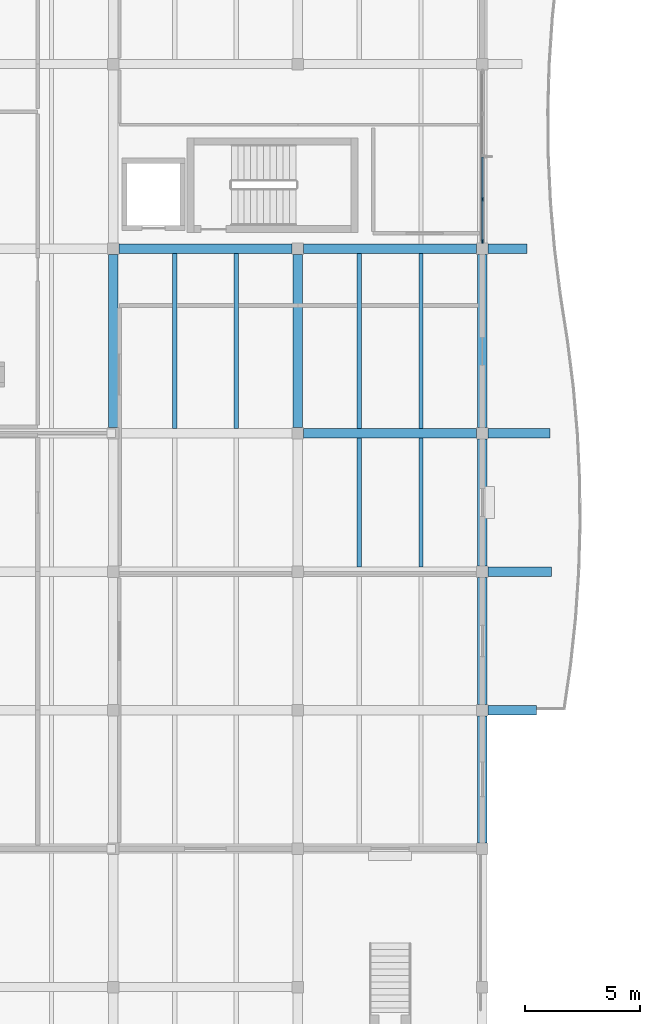
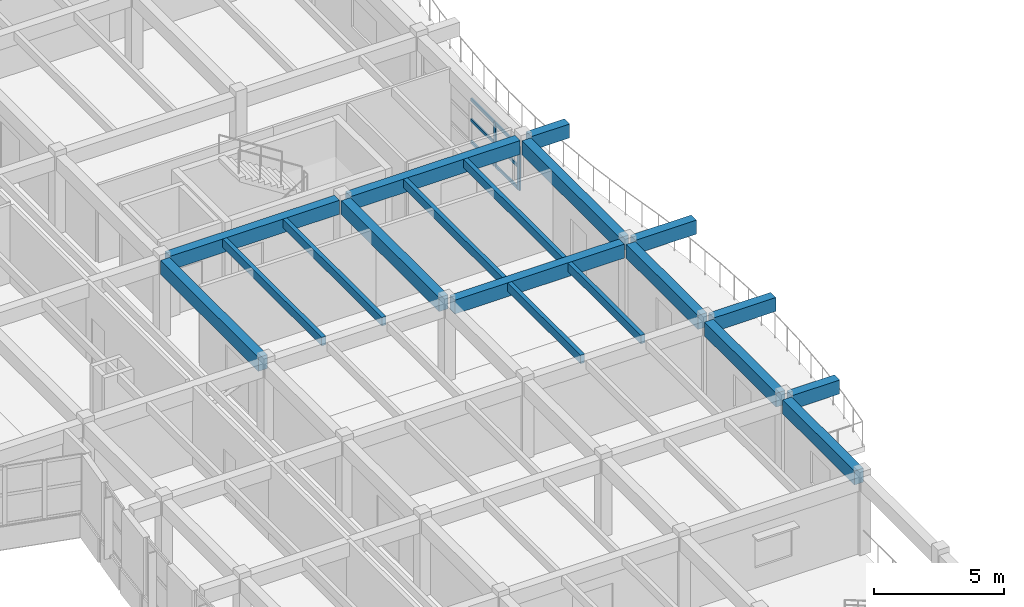
# One storey, part 11 of 89: 19 beams, 8 members, 1 element without a shape of its own.
"""IFC4 building model written with IfcOpenShell, lengths in metres."""

import ifcopenshell
import ifcopenshell.guid

model = None  # the IFC model being written
_history = None  # IfcOwnerHistory: only IFC2X3 demands one
_inside = {}  # id of a spatial element -> (the spatial element, [elements in it])
_under = {}  # id of a project, library or spatial element -> (it, [spatial elements below it])
_declared = {}  # id of a project -> (the project, [libraries it declares])
_typed = {}  # id of a type object -> (the type object, [elements of that type])
_made_of = {}  # id of a material, layer set ... -> (it, [elements and type objects made of it])


def new_model(schema):
    """Start an empty IFC model of exactly this schema.

    Asked for "IFC4X3", IfcOpenShell would pick the latest addendum, in which some entities
    have other attributes; the version numbers below select the first issue.
    IFC2X3 requires an IfcOwnerHistory on every rooted entity: one is made here for all.
    """
    global model, _history
    if schema == "IFC4X3":
        model = ifcopenshell.file(schema_version=(4, 3, 0, 0))
    else:
        model = ifcopenshell.file(schema=schema)
    _inside.clear()
    _under.clear()
    _declared.clear()
    _typed.clear()
    _made_of.clear()
    _history = None
    if model.schema == "IFC2X3":
        org = make("IfcOrganization", Name="unknown")
        user = make(
            "IfcPersonAndOrganization",
            ThePerson=make("IfcPerson", FamilyName="unknown"),
            TheOrganization=org,
        )
        app = make(
            "IfcApplication",
            ApplicationDeveloper=org,
            Version="unknown",
            ApplicationFullName="unknown",
            ApplicationIdentifier="unknown",
        )
        _history = make(
            "IfcOwnerHistory",
            OwningUser=user,
            OwningApplication=app,
            ChangeAction="ADDED",
            CreationDate=0,
        )
    return model


def make(cls, **values):
    """One entity of the class cls with the attributes given. An attribute that is None is left unset."""
    return model.create_entity(
        cls, **{name: value for name, value in values.items() if value is not None}
    )


def rooted(cls, **values):
    """An entity with a GlobalId (a new one), such as an element, a storey or a relation."""
    return make(cls, GlobalId=ifcopenshell.guid.new(), OwnerHistory=_history, **values)


def si_unit(unit_type, name, prefix=None):
    """IfcSIUnit, for example si_unit("LENGTHUNIT", "METRE", prefix="MILLI")."""
    return make("IfcSIUnit", UnitType=unit_type, Prefix=prefix, Name=name)


def assignment(units):
    """IfcUnitAssignment: the units of a project."""
    return None if units is None else make("IfcUnitAssignment", Units=units)


def point(xyz):
    """IfcCartesianPoint."""
    return None if xyz is None else make("IfcCartesianPoint", Coordinates=xyz)


def direction(xyz):
    """IfcDirection."""
    return None if xyz is None else make("IfcDirection", DirectionRatios=xyz)


def frame(location, z_axis=None, x_axis=None):
    """IfcAxis2Placement3D, a coordinate frame: its origin and axes. An axis left out is left unset."""
    return make(
        "IfcAxis2Placement3D",
        Location=point(location),
        Axis=direction(z_axis),
        RefDirection=direction(x_axis),
    )


def frame_2d(location, x_axis=None):
    """IfcAxis2Placement2D, a coordinate frame in the plane: its origin and x axis."""
    return make(
        "IfcAxis2Placement2D", Location=point(location), RefDirection=direction(x_axis)
    )


def origin():
    """The frame at (0, 0, 0) with its axes left unset."""
    return frame((0.0, 0.0, 0.0))


def origin_2d():
    """The frame at (0, 0) in the plane with its x axis left unset."""
    return frame_2d((0.0, 0.0))


def place(relative_to, where):
    """IfcLocalPlacement: puts the frame where relative to a parent placement (None: the world)."""
    return make(
        "IfcLocalPlacement", PlacementRelTo=relative_to, RelativePlacement=where
    )


def context(
    kind, dimensions, precision=None, world=None, true_north=None, identifier=None
):
    """IfcGeometricRepresentationContext, for example the 3D "Model" context."""
    return make(
        "IfcGeometricRepresentationContext",
        ContextIdentifier=identifier,
        ContextType=kind,
        CoordinateSpaceDimension=dimensions,
        Precision=precision,
        WorldCoordinateSystem=world,
        TrueNorth=true_north,
    )


def subcontext(parent, identifier, kind, view, scale=None):
    """IfcGeometricRepresentationSubContext, for example "Body" below "Model"."""
    return make(
        "IfcGeometricRepresentationSubContext",
        ContextIdentifier=identifier,
        ContextType=kind,
        ParentContext=parent,
        TargetScale=scale,
        TargetView=view,
    )


def project(units=None, contexts=None):
    """IfcProject with its units and contexts."""
    return rooted(
        "IfcProject",
        Name="project",
        RepresentationContexts=contexts,
        UnitsInContext=assignment(units),
    )


def spatial(cls, under=None, at=None, **own):
    """A site, building, storey or space (cls), placed at a placement, below another one or the project."""
    s = rooted(cls, ObjectPlacement=at, **own)
    if under is not None:
        _under.setdefault(under.id(), (under, []))[1].append(s)
    return s


def profile(cls, at=None, kind="AREA", **sizes):
    """A parametric profile (cls). Its sizes go by their IFC names, for example OverallWidth=200.0."""
    return make(cls, ProfileType=kind, Position=at, **sizes)


def rectangle(**sizes):
    """IfcRectangleProfileDef."""
    return profile("IfcRectangleProfileDef", **sizes)


def extrude(swept, where, along, depth):
    """IfcExtrudedAreaSolid: the profile swept, set in the frame where, extruded along a direction by depth."""
    return make(
        "IfcExtrudedAreaSolid",
        SweptArea=swept,
        Position=where,
        ExtrudedDirection=direction(along),
        Depth=depth,
    )


def shape(context_of_items, identifier, shape_type, items):
    """IfcShapeRepresentation: the items that make up one representation, for example the "Body"."""
    return make(
        "IfcShapeRepresentation",
        ContextOfItems=context_of_items,
        RepresentationIdentifier=identifier,
        RepresentationType=shape_type,
        Items=items,
    )


def material(Name=None, Category=None):
    """IfcMaterial."""
    return make("IfcMaterial", Name=Name, Category=Category)


def layer(
    of_material, thickness, ventilated=None, Name=None, Category=None, Priority=None
):
    """IfcMaterialLayer: one layer of a wall or slab, of a material (None: an air gap)."""
    return make(
        "IfcMaterialLayer",
        Material=of_material,
        LayerThickness=thickness,
        IsVentilated=ventilated,
        Name=Name,
        Category=Category,
        Priority=Priority,
    )


def layer_set(layers, Name=None):
    """IfcMaterialLayerSet."""
    return make("IfcMaterialLayerSet", MaterialLayers=layers, LayerSetName=Name)


def material_profile(
    of_material, cross_section, Name=None, Category=None, Priority=None
):
    """IfcMaterialProfile: a cross section and its material."""
    return make(
        "IfcMaterialProfile",
        Name=Name,
        Material=of_material,
        Profile=cross_section,
        Priority=Priority,
        Category=Category,
    )


def profile_set(profiles, Name=None, composite=None):
    """IfcMaterialProfileSet."""
    return make(
        "IfcMaterialProfileSet",
        Name=Name,
        MaterialProfiles=profiles,
        CompositeProfile=composite,
    )


def made_of(thing, what):
    """Note that an element or type object is made of a material, layer set ...; save() writes the relation."""
    if what is not None:
        _made_of.setdefault(what.id(), (what, []))[1].append(thing)
    return thing


def type_object(cls, material=None, **own):
    """A type object (cls), such as IfcWallType, which elements share."""
    return made_of(rooted(cls, **own), material)


def element(
    cls,
    number,
    at=None,
    inside=None,
    cuts=None,
    type_object=None,
    material=None,
    context=None,
    identifier="Body",
    shape_type=None,
    held_by="IfcProductDefinitionShape",
    body=None,
    shapes=None,
    **own,
):
    """One element of the class cls, such as IfcWall. Its Tag is "e" and its number.

    at: its placement. inside: the storey or other place that contains it. cuts: it is an
    opening in that element (IfcRelVoidsElement). A single representation is given by context,
    identifier, shape_type and body (its items); several are given by shapes. held_by: the class
    of the entity that holds the representations. save() writes the other relations.
    """
    e = rooted(cls, Tag="e%d" % number, ObjectPlacement=at, **own)
    if body is not None:
        shapes = [shape(context, identifier, shape_type, body)]
    if shapes is not None:
        e.Representation = make(held_by, Representations=shapes)
    if inside is not None:
        _inside.setdefault(inside.id(), (inside, []))[1].append(e)
    if cuts is not None:
        rooted(
            "IfcRelVoidsElement", RelatingBuildingElement=cuts, RelatedOpeningElement=e
        )
    if type_object is not None:
        _typed.setdefault(type_object.id(), (type_object, []))[1].append(e)
    return made_of(e, material)


def aggregate(whole, parts):
    """IfcRelAggregates: a whole, such as a stair, and the parts it consists of."""
    return rooted("IfcRelAggregates", RelatingObject=whole, RelatedObjects=parts)


def save(model, path):
    """Write the relations noted so far, then the file.

    IfcRelAggregates (storeys below a building ...), IfcRelContainedInSpatialStructure (elements
    in a storey), IfcRelDefinesByType, IfcRelAssociatesMaterial and IfcRelDeclares: one each for
    every whole, place, type object, material and project.
    """
    for whole, parts in _under.values():
        aggregate(whole, parts)
    for where, things in _inside.values():
        rooted(
            "IfcRelContainedInSpatialStructure",
            RelatedElements=things,
            RelatingStructure=where,
        )
    for kind, things in _typed.values():
        rooted("IfcRelDefinesByType", RelatedObjects=things, RelatingType=kind)
    for what, things in _made_of.values():
        rooted("IfcRelAssociatesMaterial", RelatedObjects=things, RelatingMaterial=what)
    for by, libraries in _declared.values():
        rooted("IfcRelDeclares", RelatingContext=by, RelatedDefinitions=libraries)
    model.write(path)


model = new_model("IFC4")

# Units and contexts
model_context = context("Model", 3, precision=1e-05, world=origin(), true_north=direction((0.0, 1.0)))
body_context = subcontext(model_context, "Body", "Model", "MODEL_VIEW")
ifc_project = project(units=[si_unit("LENGTHUNIT", "METRE"), si_unit("AREAUNIT", "SQUARE_METRE"), si_unit("VOLUMEUNIT", "CUBIC_METRE"), si_unit("PLANEANGLEUNIT", "RADIAN"), si_unit("MASSUNIT", "GRAM", prefix="KILO")], contexts=[model_context])

# Site, building, storey
site_placement = place(None, origin())
site = spatial("IfcSite", under=ifc_project, at=site_placement, CompositionType="ELEMENT")
building_placement = place(site_placement, origin())
building = spatial("IfcBuilding", under=site, at=building_placement, Name="Tonlespit Floodbar School", CompositionType="ELEMENT")
storey_placement = place(building_placement, frame((0.0, 0.0, 4.5)))
storey = spatial("IfcBuildingStorey", under=building, at=storey_placement, Name="L01", CompositionType="ELEMENT", Elevation=4.5)

# Beams
ifc_material_1 = material(Name="Concrete C40/50", Category="concrete")
ifc_material_profile_1 = material_profile(ifc_material_1, rectangle(XDim=0.39990234375, YDim=0.64990234375, at=origin_2d()), Name="RC 400x650")
ifc_profile_set_1 = profile_set([ifc_material_profile_1], Name="Concrete C40/50")
beam_type_1 = type_object("IfcBeamType", Name="Beam_RC_400x650", PredefinedType="BEAM", material=ifc_profile_set_1)
for number, where, z_axis, x_axis, name in (
    (1, (28.25, 56.0, 3.324951171875), (1.0, 0.0, 0.0), (0.0, 1.0, 0.0), "L01 girder 0574"),
    (2, (20.25, 64.0, 3.324951171875), (1.0, 0.0, 0.0), (0.0, 1.0, 0.0), "L01 girder 0577"),
    (3, (28.25, 64.0, 3.324951171875), (1.0, 0.0, 0.0), (0.0, 1.0, 0.0), "L01 girder 0578"),
    (4, (20.0, 56.25, 3.324951171875), (0.0, 1.0, 0.0), (-1.0, 0.0, 0.0), "L01 girder 0695"),
    (5, (28.0, 56.25, 3.324951171875), (0.0, 1.0, 0.0), (-1.0, 0.0, 0.0), "L01 girder 0708"),
):
    element("IfcBeam", number, at=place(storey_placement, frame(where, z_axis=z_axis, x_axis=x_axis)), inside=storey, type_object=beam_type_1, Name=name, PredefinedType="BEAM", context=body_context, shape_type="SweptSolid", body=[
        extrude(rectangle(XDim=0.39990234375, YDim=0.64990234375, at=origin_2d()), origin(), (0.0, 0.0, 1.0), 7.5),
    ])
for number, where, z_axis, x_axis, name in (
    (6, (36.0, 38.25, 3.322998046875), (0.0, 1.0, 0.0), (-1.0, 0.0, 0.0), "L01 girder 0717"),
    (7, (36.0, 44.25, 3.324951171875), (0.0, 1.0, 0.0), (-1.0, 0.0, 0.0), "L01 girder 0718"),
    (8, (36.0, 50.25, 3.324951171875), (0.0, 1.0, 0.0), (-1.0, 0.0, 0.0), "L01 girder 0719"),
):
    element("IfcBeam", number, at=place(storey_placement, frame(where, z_axis=z_axis, x_axis=x_axis)), inside=storey, type_object=beam_type_1, Name=name, PredefinedType="BEAM", context=body_context, shape_type="SweptSolid", body=[
        extrude(rectangle(XDim=0.39990234375, YDim=0.64990234375, at=origin_2d()), origin(), (0.0, 0.0, 1.0), 5.5),
    ])
beam_1_placement = place(storey_placement, frame((36.0, 56.25, 3.324951171875), z_axis=(0.0, 1.0, 0.0), x_axis=(-1.0, 0.0, 0.0)))
element("IfcBeam", 9, at=beam_1_placement, inside=storey, type_object=beam_type_1, Name="L01 girder 0720", PredefinedType="BEAM", context=body_context, shape_type="SweptSolid", body=[
    extrude(rectangle(XDim=0.39990234375, YDim=0.64990234375, at=origin_2d()), origin(), (0.0, 0.0, 1.0), 7.5),
])
beam_2_placement = place(storey_placement, frame((36.25, 44.0, 3.3310546875), z_axis=(1.0, 0.0, 0.0), x_axis=(0.0, 1.0, 0.0)))
element("IfcBeam", 10, at=beam_2_placement, inside=storey, type_object=beam_type_1, Name="L01 V2 court gallery cantilever rib", PredefinedType="BEAM", context=body_context, shape_type="SweptSolid", body=[
    extrude(rectangle(XDim=0.39990234375, YDim=0.64990234375, at=origin_2d()), origin(), (0.0, 0.0, 1.0), 2.10009765625),
])
beam_3_placement = place(storey_placement, frame((36.25, 50.0, 3.3310546875), z_axis=(1.0, 0.0, 0.0), x_axis=(0.0, 1.0, 0.0)))
element("IfcBeam", 11, at=beam_3_placement, inside=storey, type_object=beam_type_1, Name="L01 V2 court gallery cantilever rib", PredefinedType="BEAM", context=body_context, shape_type="SweptSolid", body=[
    extrude(rectangle(XDim=0.39990234375, YDim=0.64990234375, at=origin_2d()), origin(), (0.0, 0.0, 1.0), 2.7392578125),
])
beam_4_placement = place(storey_placement, frame((36.25, 56.0, 3.3310546875), z_axis=(1.0, 0.0, 0.0), x_axis=(0.0, 1.0, 0.0)))
element("IfcBeam", 12, at=beam_4_placement, inside=storey, type_object=beam_type_1, Name="L01 V2 court gallery cantilever rib", PredefinedType="BEAM", context=body_context, shape_type="SweptSolid", body=[
    extrude(rectangle(XDim=0.39990234375, YDim=0.64990234375, at=origin_2d()), origin(), (0.0, 0.0, 1.0), 2.681396484375),
])
beam_5_placement = place(storey_placement, frame((36.25, 64.0, 3.3310546875), z_axis=(1.0, 0.0, 0.0), x_axis=(0.0, 1.0, 0.0)))
element("IfcBeam", 13, at=beam_5_placement, inside=storey, type_object=beam_type_1, Name="L01 V2 court gallery cantilever rib", PredefinedType="BEAM", context=body_context, shape_type="SweptSolid", body=[
    extrude(rectangle(XDim=0.39990234375, YDim=0.64990234375, at=origin_2d()), origin(), (0.0, 0.0, 1.0), 1.6923828125),
])

# Curtain wall, members
ifc_material_2 = material(Name="Anodised Aluminium", Category="aluminium")
ifc_layer = layer(ifc_material_2, 0.159912109375)
ifc_layer_set = layer_set([ifc_layer], Name="Anodised Aluminium")
curtain_wall_type = type_object("IfcCurtainWallType", Name="CurtainWall_7400x2050", PredefinedType="NOTDEFINED", material=ifc_layer_set)
curtain_wall_placement = place(storey_placement, origin())
curtain_wall = element("IfcCurtainWall", 14, at=curtain_wall_placement, inside=storey, type_object=curtain_wall_type, Name="L01 unitised curtain wall 0283", PredefinedType="NOTDEFINED")
ifc_material_profile_2 = material_profile(ifc_material_2, rectangle(XDim=0.06494140625, YDim=0.179931640625, at=origin_2d()), Name="ALU M65x180")
ifc_profile_set_2 = profile_set([ifc_material_profile_2], Name="Anodised Aluminium")
member_type_1 = type_object("IfcMemberType", Name="CW_Mullion_65x180", PredefinedType="MULLION", material=ifc_profile_set_2)
member_1_placement = place(storey_placement, frame((36.0, 66.14501953125, 0.949951171875), z_axis=(0.0, 0.0, 1.0), x_axis=(1.0, 0.0, 0.0)))
member_1 = element("IfcMember", 15, at=member_1_placement, type_object=member_type_1, Name="CW-36 mullion 4", PredefinedType="MULLION", context=body_context, shape_type="SweptSolid", body=[
    extrude(rectangle(XDim=0.06494140625, YDim=0.179931640625, at=origin_2d()), origin(), (0.0, 0.0, 1.0), 2.050048828125),
])
member_2_placement = place(storey_placement, frame((36.0, 64.322509765625, 0.949951171875), z_axis=(0.0, 0.0, 1.0), x_axis=(1.0, 0.0, 0.0)))
member_2 = element("IfcMember", 16, at=member_2_placement, type_object=member_type_1, Name="CW-36 mullion 5", PredefinedType="MULLION", context=body_context, shape_type="SweptSolid", body=[
    extrude(rectangle(XDim=0.06494140625, YDim=0.179931640625, at=origin_2d()), origin(), (0.0, 0.0, 1.0), 2.050048828125),
])
ifc_material_profile_3 = material_profile(ifc_material_2, rectangle(XDim=0.06494140625, YDim=0.139892578125, at=origin_2d()), Name="ALU T65x140")
ifc_profile_set_3 = profile_set([ifc_material_profile_3], Name="Anodised Aluminium")
member_type_2 = type_object("IfcMemberType", Name="CW_Transom_65x140", PredefinedType="USERDEFINED", material=ifc_profile_set_3)
member_3_placement = place(storey_placement, frame((36.0, 67.967529296875, 0.982421875), z_axis=(0.0, -1.0, 0.0), x_axis=(1.0, 0.0, 0.0)))
member_3 = element("IfcMember", 17, at=member_3_placement, type_object=member_type_2, Name="CW-36 transom 3.1", ObjectType="TRANSOM", PredefinedType="USERDEFINED", context=body_context, shape_type="SweptSolid", body=[
    extrude(rectangle(XDim=0.06494140625, YDim=0.139892578125, at=origin_2d()), origin(), (0.0, 0.0, 1.0), 1.7900390625),
])
member_4_placement = place(storey_placement, frame((36.0, 67.967529296875, 2.01611328125), z_axis=(0.0, -1.0, 0.0), x_axis=(1.0, 0.0, 0.0)))
member_4 = element("IfcMember", 18, at=member_4_placement, type_object=member_type_2, Name="CW-36 transom 3.2", ObjectType="TRANSOM", PredefinedType="USERDEFINED", context=body_context, shape_type="SweptSolid", body=[
    extrude(rectangle(XDim=0.06494140625, YDim=0.139892578125, at=origin_2d()), origin(), (0.0, 0.0, 1.0), 1.7900390625),
])
member_5_placement = place(storey_placement, frame((36.0, 67.967529296875, 2.967529296875), z_axis=(0.0, -1.0, 0.0), x_axis=(1.0, 0.0, 0.0)))
member_5 = element("IfcMember", 19, at=member_5_placement, type_object=member_type_2, Name="CW-36 transom 3.3", ObjectType="TRANSOM", PredefinedType="USERDEFINED", context=body_context, shape_type="SweptSolid", body=[
    extrude(rectangle(XDim=0.06494140625, YDim=0.139892578125, at=origin_2d()), origin(), (0.0, 0.0, 1.0), 1.7900390625),
])
member_6_placement = place(storey_placement, frame((36.0, 66.112548828125, 0.982421875), z_axis=(0.0, -1.0, 0.0), x_axis=(1.0, 0.0, 0.0)))
member_6 = element("IfcMember", 20, at=member_6_placement, type_object=member_type_2, Name="CW-36 transom 4.1", ObjectType="TRANSOM", PredefinedType="USERDEFINED", context=body_context, shape_type="SweptSolid", body=[
    extrude(rectangle(XDim=0.06494140625, YDim=0.139892578125, at=origin_2d()), origin(), (0.0, 0.0, 1.0), 1.757568359375),
])
member_7_placement = place(storey_placement, frame((36.0, 66.112548828125, 2.01611328125), z_axis=(0.0, -1.0, 0.0), x_axis=(1.0, 0.0, 0.0)))
member_7 = element("IfcMember", 21, at=member_7_placement, type_object=member_type_2, Name="CW-36 transom 4.2", ObjectType="TRANSOM", PredefinedType="USERDEFINED", context=body_context, shape_type="SweptSolid", body=[
    extrude(rectangle(XDim=0.06494140625, YDim=0.139892578125, at=origin_2d()), origin(), (0.0, 0.0, 1.0), 1.757568359375),
])
member_8_placement = place(storey_placement, frame((36.0, 66.112548828125, 2.967529296875), z_axis=(0.0, -1.0, 0.0), x_axis=(1.0, 0.0, 0.0)))
member_8 = element("IfcMember", 22, at=member_8_placement, type_object=member_type_2, Name="CW-36 transom 4.3", ObjectType="TRANSOM", PredefinedType="USERDEFINED", context=body_context, shape_type="SweptSolid", body=[
    extrude(rectangle(XDim=0.06494140625, YDim=0.139892578125, at=origin_2d()), origin(), (0.0, 0.0, 1.0), 1.757568359375),
])
aggregate(curtain_wall, [member_1, member_2, member_3, member_4, member_5, member_6, member_7, member_8])

# Beams
ifc_material_3 = material(Name="Glulam GL28h", Category="wood")
ifc_material_profile_4 = material_profile(ifc_material_3, rectangle(XDim=0.179931640625, YDim=0.39990234375, at=origin_2d()), Name="GL 180x400")
ifc_profile_set_4 = profile_set([ifc_material_profile_4], Name="Glulam GL28h")
beam_type_2 = type_object("IfcBeamType", Name="Joist_GL_180x400", PredefinedType="JOIST", material=ifc_profile_set_4)
for number, where, z_axis, x_axis, name in (
    (23, (30.666748046875, 50.199951171875, 3.449951171875), (0.0, 1.0, 0.0), (-1.0, 0.0, 0.0), "L01 secondary joist 0834"),
    (24, (33.333251953125, 50.199951171875, 3.449951171875), (0.0, 1.0, 0.0), (-1.0, 0.0, 0.0), "L01 secondary joist 0835"),
):
    element("IfcBeam", number, at=place(storey_placement, frame(where, z_axis=z_axis, x_axis=x_axis)), inside=storey, type_object=beam_type_2, Name=name, PredefinedType="JOIST", context=body_context, shape_type="SweptSolid", body=[
        extrude(rectangle(XDim=0.179931640625, YDim=0.39990234375, at=origin_2d()), origin(), (0.0, 0.0, 1.0), 5.60009765625),
    ])
for number, where, z_axis, x_axis, name in (
    (25, (22.666748046875, 56.199951171875, 3.449951171875), (0.0, 1.0, 0.0), (-1.0, 0.0, 0.0), "L01 secondary joist 0838"),
    (26, (25.333251953125, 56.199951171875, 3.449951171875), (0.0, 1.0, 0.0), (-1.0, 0.0, 0.0), "L01 secondary joist 0839"),
    (27, (30.666748046875, 56.199951171875, 3.449951171875), (0.0, 1.0, 0.0), (-1.0, 0.0, 0.0), "L01 secondary joist 0840"),
    (28, (33.333251953125, 56.199951171875, 3.449951171875), (0.0, 1.0, 0.0), (-1.0, 0.0, 0.0), "L01 secondary joist 0841"),
):
    element("IfcBeam", number, at=place(storey_placement, frame(where, z_axis=z_axis, x_axis=x_axis)), inside=storey, type_object=beam_type_2, Name=name, PredefinedType="JOIST", context=body_context, shape_type="SweptSolid", body=[
        extrude(rectangle(XDim=0.179931640625, YDim=0.39990234375, at=origin_2d()), origin(), (0.0, 0.0, 1.0), 7.60009765625),
    ])

save(model, "model.ifc")
